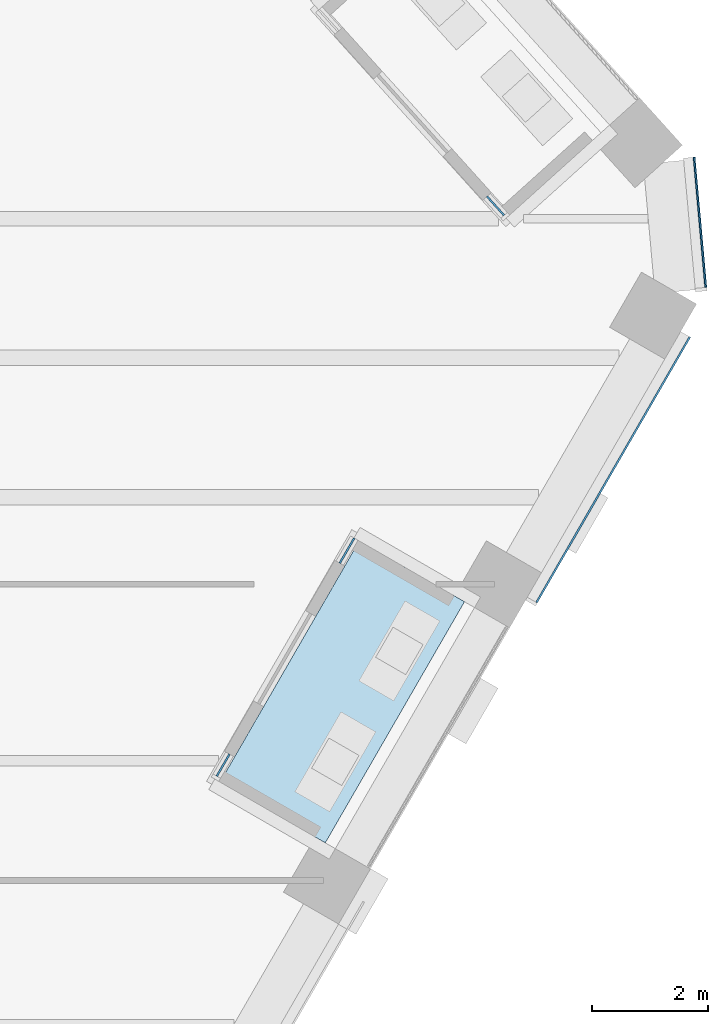
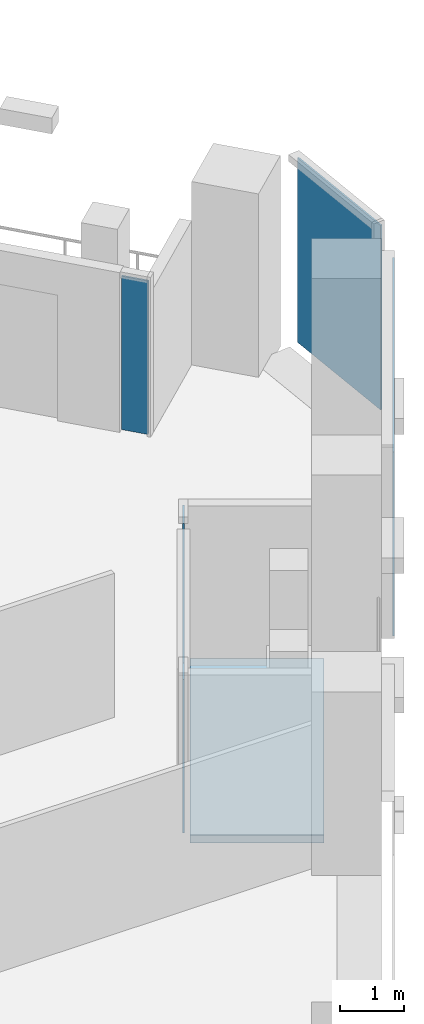
# One storey, part 13 of 25: 5 plates, 1 slab, 4 elements without a shape of their own.
"""IFC4 building model written with IfcOpenShell, lengths in metres."""

from ifc_helpers import new_model, si_unit, direction, frame, origin, origin_2d, place, context, subcontext, project, spatial, polyline, rectangle, outline, extrude, material, layer, layer_set, type_object, element, aggregate, save


model = new_model("IFC4")

# Units and contexts
model_context = context("Model", 3, precision=1e-05, world=origin(), true_north=direction((0.0, 1.0)))
body_context = subcontext(model_context, "Body", "Model", "MODEL_VIEW")
ifc_project = project(units=[si_unit("LENGTHUNIT", "METRE"), si_unit("AREAUNIT", "SQUARE_METRE"), si_unit("VOLUMEUNIT", "CUBIC_METRE"), si_unit("PLANEANGLEUNIT", "RADIAN"), si_unit("MASSUNIT", "GRAM", prefix="KILO")], contexts=[model_context])

# Site, building, storey
site_placement = place(None, origin())
site = spatial("IfcSite", under=ifc_project, at=site_placement, CompositionType="ELEMENT")
building_placement = place(site_placement, origin())
building = spatial("IfcBuilding", under=site, at=building_placement, Name="Isthmus Gate Tower", CompositionType="ELEMENT")
storey_placement = place(building_placement, frame((0.0, 0.0, 249.14990234375)))
storey = spatial("IfcBuildingStorey", under=building, at=storey_placement, Name="L63", CompositionType="ELEMENT", Elevation=249.14990234375)

# Curtain wall, plate
ifc_material_1 = material(Name="Aluminium, pale champagne anodised", Category="aluminium")
ifc_layer_1 = layer(ifc_material_1, 0.199951171875)
ifc_layer_set_1 = layer_set([ifc_layer_1], Name="CW-1 UNITISED CURTAIN WALL 200 DEEP")
curtain_wall_type_1 = type_object("IfcCurtainWallType", Name="CW-1 UNITISED CURTAIN WALL 200 DEEP", PredefinedType="NOTDEFINED", material=ifc_layer_set_1)
curtain_wall_1_placement = place(storey_placement, origin())
curtain_wall_1 = element("IfcCurtainWall", 1, at=curtain_wall_1_placement, inside=storey, type_object=curtain_wall_type_1, Name="CW-1 SE L63", PredefinedType="NOTDEFINED")
ifc_material_2 = material(Name="Laminated low-iron glass, pale blue tint", Category="glass")
ifc_layer_2 = layer(ifc_material_2, 0.031982421875)
ifc_layer_set_2 = layer_set([ifc_layer_2], Name="CW-1 CLEAR GLASS LITE 32")
plate_type_1 = type_object("IfcPlateType", Name="CW-1 CLEAR GLASS LITE 32", PredefinedType="CURTAIN_PANEL", material=ifc_layer_set_2)
plate_1_placement = place(storey_placement, frame((28.135498046875, -1.635986328125, 0.0), z_axis=(0.0, 0.0, 1.0), x_axis=(0.5, 0.866025403784, 0.0)))
plate_1 = element("IfcPlate", 2, at=plate_1_placement, type_object=plate_type_1, Name="CW-1 glass lite", PredefinedType="CURTAIN_PANEL", context=body_context, shape_type="SweptSolid", body=[
    extrude(rectangle(XDim=5.300537109375, YDim=0.031982421875, at=origin_2d()), origin(), (0.0, 0.0, 1.0), 3.52001953125),
])
aggregate(curtain_wall_1, [plate_1])

curtain_wall_2_placement = place(storey_placement, origin())
curtain_wall_2 = element("IfcCurtainWall", 3, at=curtain_wall_2_placement, inside=storey, type_object=curtain_wall_type_1, Name="CW-1 SE-NE L63", PredefinedType="NOTDEFINED")
plate_2_placement = place(storey_placement, frame((29.63427734375, 2.638671875, 0.0), z_axis=(0.0, 0.0, 1.0), x_axis=(-0.089396669717, 0.995996102123, 0.0)))
plate_2 = element("IfcPlate", 4, at=plate_2_placement, type_object=plate_type_1, Name="CW-1 glass lite", PredefinedType="CURTAIN_PANEL", context=body_context, shape_type="SweptSolid", body=[
    extrude(rectangle(XDim=2.258544921875, YDim=0.031982421875, at=origin_2d()), origin(), (0.0, 0.0, 1.0), 3.52001953125),
])
aggregate(curtain_wall_2, [plate_2])

# Curtain wall, plates
ifc_material_3 = material(Name="Aluminium, pale champagne anodised", Category="aluminium")
ifc_layer_3 = layer(ifc_material_3, 0.14990234375)
ifc_layer_set_3 = layer_set([ifc_layer_3], Name="CW-6 LOGGIA BACK WALL GLAZING 150 DEEP")
curtain_wall_type_2 = type_object("IfcCurtainWallType", Name="CW-6 LOGGIA BACK WALL GLAZING 150 DEEP", PredefinedType="NOTDEFINED", material=ifc_layer_set_3)
curtain_wall_3_placement = place(storey_placement, origin())
curtain_wall_3 = element("IfcCurtainWall", 5, at=curtain_wall_3_placement, inside=storey, type_object=curtain_wall_type_2, Name="CW-6 SE L63", PredefinedType="NOTDEFINED")
ifc_material_4 = material(Name="Laminated low-iron glass, clear", Category="glass")
ifc_layer_4 = layer(ifc_material_4, 0.031982421875)
ifc_layer_set_4 = layer_set([ifc_layer_4], Name="CW-6 CLEAR GLASS LITE 32")
plate_type_2 = type_object("IfcPlateType", Name="CW-6 CLEAR GLASS LITE 32", PredefinedType="CURTAIN_PANEL", material=ifc_layer_set_4)
plate_3_placement = place(storey_placement, frame((21.39599609375, -6.740966796875, 0.0), z_axis=(0.0, 0.0, 1.0), x_axis=(0.5, 0.866025403784, 0.0)))
plate_3 = element("IfcPlate", 6, at=plate_3_placement, type_object=plate_type_2, Name="CW-6 glass lite", PredefinedType="CURTAIN_PANEL", context=body_context, shape_type="SweptSolid", body=[
    extrude(rectangle(XDim=0.43994140625, YDim=0.031982421875, at=origin_2d()), origin(), (0.0, 0.0, 1.0), 2.929931640625),
])
plate_4_placement = place(storey_placement, frame((23.536376953125, -3.033935546875, 0.0), z_axis=(0.0, 0.0, 1.0), x_axis=(0.5, 0.866025403784, 0.0)))
plate_4 = element("IfcPlate", 7, at=plate_4_placement, type_object=plate_type_2, Name="CW-6 glass lite", PredefinedType="CURTAIN_PANEL", context=body_context, shape_type="SweptSolid", body=[
    extrude(rectangle(XDim=0.5, YDim=0.031982421875, at=origin_2d()), origin(), (0.0, 0.0, 1.0), 2.929931640625),
])
aggregate(curtain_wall_3, [plate_3, plate_4])

# Curtain wall, plate
curtain_wall_4_placement = place(storey_placement, origin())
curtain_wall_4 = element("IfcCurtainWall", 8, at=curtain_wall_4_placement, inside=storey, type_object=curtain_wall_type_2, Name="CW-6 NE L63", PredefinedType="NOTDEFINED")
plate_5_placement = place(storey_placement, frame((26.102783203125, 2.92236328125, 0.0), z_axis=(0.0, 0.0, 1.0), x_axis=(-0.669130606359, 0.743144825477, 0.0)))
plate_5 = element("IfcPlate", 9, at=plate_5_placement, type_object=plate_type_2, Name="CW-6 glass lite", PredefinedType="CURTAIN_PANEL", context=body_context, shape_type="SweptSolid", body=[
    extrude(rectangle(XDim=0.43994140625, YDim=0.031982421875, at=origin_2d()), origin(), (0.0, 0.0, 1.0), 2.929931640625),
])
aggregate(curtain_wall_4, [plate_5])

# Slab
ifc_material_5 = material(Name="Concrete f'c 50 MPa", Category="concrete")
ifc_layer_5 = layer(ifc_material_5, 0.14990234375)
ifc_layer_set_5 = layer_set([ifc_layer_5], Name="LOGGIA FLOOR SLAB 150")
slab_type = type_object("IfcSlabType", Name="LOGGIA FLOOR SLAB 150", PredefinedType="FLOOR", material=ifc_layer_set_5)
slab_placement = place(storey_placement, frame((0.0, 0.0, -0.14990234375)))
element("IfcSlab", 10, at=slab_placement, inside=storey, type_object=slab_type, Name="LOGGIA FLOOR", PredefinedType="FLOOR", context=body_context, shape_type="SweptSolid", body=[
    extrude(outline(polyline([(23.161376953125, -8.08349609375), (25.566650390625, -3.91748046875), (23.747802734375, -2.867431640625), (21.342529296875, -7.033447265625), (23.161376953125, -8.08349609375)])), origin(), (0.0, 0.0, 1.0), 0.14990234375),
])

save(model, "model.ifc")
